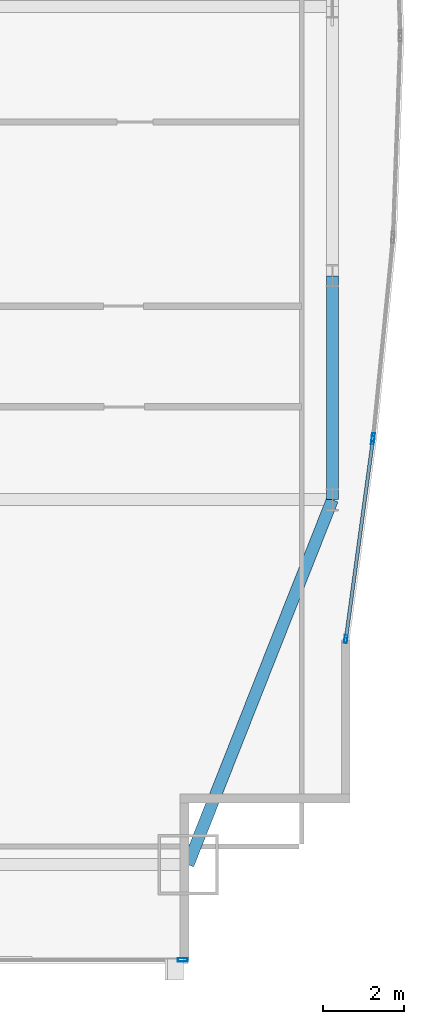
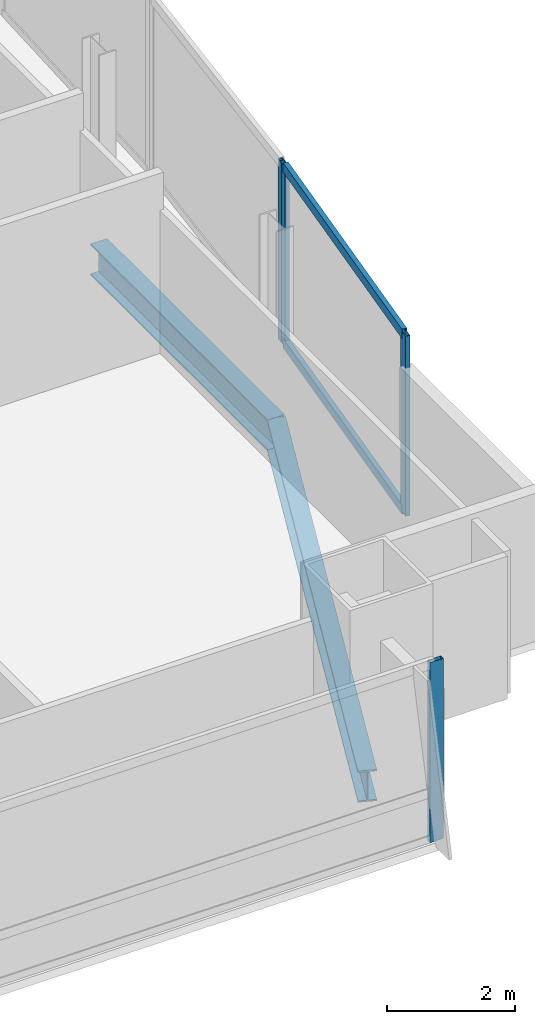
# One storey, part 21 of 32: 6 members, 2 beams, 3 elements without a shape of their own.
"""IFC4 building model written with IfcOpenShell, lengths in metres."""

from ifc_helpers import new_model, si_unit, direction, frame, origin, origin_2d, place, context, subcontext, project, spatial, hollow_rectangle, i_section, extrude, material, material_profile, profile_set, type_object, element, aggregate, save


model = new_model("IFC4")

# Units and contexts
model_context = context("Model", 3, precision=1e-05, world=origin(), true_north=direction((0.0, 1.0)))
body_context = subcontext(model_context, "Body", "Model", "MODEL_VIEW")
ifc_project = project(units=[si_unit("LENGTHUNIT", "METRE"), si_unit("AREAUNIT", "SQUARE_METRE"), si_unit("VOLUMEUNIT", "CUBIC_METRE"), si_unit("PLANEANGLEUNIT", "RADIAN"), si_unit("MASSUNIT", "GRAM", prefix="KILO")], contexts=[model_context])

# Site, building, storey
site_placement = place(None, origin())
site = spatial("IfcSite", under=ifc_project, at=site_placement, CompositionType="ELEMENT")
building_placement = place(site_placement, origin())
building = spatial("IfcBuilding", under=site, at=building_placement, Name="Khoronbel Lancet Exchange", CompositionType="ELEMENT")
storey_placement = place(building_placement, frame((0.0, 0.0, 125.39990234375)))
storey = spatial("IfcBuildingStorey", under=building, at=storey_placement, Name="L30", CompositionType="ELEMENT", Elevation=125.39990234375)

# Beams
ifc_material_1 = material(Name="Steel S355", Category="steel")
ifc_material_profile_1 = material_profile(ifc_material_1, i_section(OverallWidth=0.300048828125, OverallDepth=0.60009765625, WebThickness=0.015380859375, FlangeThickness=0.030029296875, at=origin_2d()), Name="HEB 600")
ifc_profile_set_1 = profile_set([ifc_material_profile_1], Name="Steel S355")
beam_type = type_object("IfcBeamType", Name="BM-BSP2", PredefinedType="SPANDREL", material=ifc_profile_set_1)
beam_1_placement = place(storey_placement, frame((66.050048828125, 10.14990234375, -0.4599609375), z_axis=(0.367828403855, 0.929893684954, 0.0), x_axis=(-0.929893684954, 0.367828403855, 0.0)))
element("IfcBeam", 1, at=beam_1_placement, inside=storey, type_object=beam_type, Name="Level L30 perimeter spandrel beam SP10", PredefinedType="SPANDREL", context=body_context, shape_type="SweptSolid", body=[
    extrude(i_section(OverallWidth=0.300048828125, OverallDepth=0.60009765625, WebThickness=0.015380859375, FlangeThickness=0.030029296875, at=origin_2d()), origin(), (0.0, 0.0, 1.0), 9.732421875),
])
beam_2_placement = place(storey_placement, frame((69.6298828125, 19.199951171875, -0.4599609375), z_axis=(0.0, 1.0, 0.0), x_axis=(-1.0, 0.0, 0.0)))
element("IfcBeam", 2, at=beam_2_placement, inside=storey, type_object=beam_type, Name="Level L30 perimeter spandrel beam SP11", PredefinedType="SPANDREL", context=body_context, shape_type="SweptSolid", body=[
    extrude(i_section(OverallWidth=0.300048828125, OverallDepth=0.60009765625, WebThickness=0.015380859375, FlangeThickness=0.030029296875, at=origin_2d()), origin(), (0.0, 0.0, 1.0), 5.550048828125),
])

# Curtain wall, member
ifc_material_2 = material(Name="Low-E Solar Control Insulating Glass", Category="glass")
curtain_wall_type_1 = type_object("IfcCurtainWallType", Name="CW-2", PredefinedType="NOTDEFINED", material=ifc_material_2)
curtain_wall_1_placement = place(storey_placement, origin())
curtain_wall_1 = element("IfcCurtainWall", 3, at=curtain_wall_1_placement, inside=storey, type_object=curtain_wall_type_1, Name="Unitised curtain wall CW-L30-SEV", PredefinedType="NOTDEFINED")
ifc_material_3 = material(Name="Bronze-Anodised Aluminium 6063-T6", Category="aluminium")
ifc_material_profile_2 = material_profile(ifc_material_3, hollow_rectangle(XDim=0.0849609375, YDim=0.239990234375, WallThickness=0.006103515625, at=origin_2d()), Name="ALU MULLION 85x240")
ifc_profile_set_2 = profile_set([ifc_material_profile_2], Name="Bronze-Anodised Aluminium 6063-T6")
member_type_1 = type_object("IfcMemberType", Name="MEM-CWM1", PredefinedType="MULLION", material=ifc_profile_set_2)
member_1_placement = place(storey_placement, frame((65.91748046875, 7.7900390625, 0.0), z_axis=(0.0, 0.0, 1.0), x_axis=(0.0, 1.0, 0.0)))
member_1 = element("IfcMember", 4, at=member_1_placement, type_object=member_type_1, Name="CW2 mullion 2", PredefinedType="MULLION", context=body_context, shape_type="SweptSolid", body=[
    extrude(hollow_rectangle(XDim=0.0849609375, YDim=0.239990234375, WallThickness=0.006103515625, at=origin_2d()), origin(), (0.0, 0.0, 1.0), 3.440185546875),
])
aggregate(curtain_wall_1, [member_1])

curtain_wall_type_2 = type_object("IfcCurtainWallType", Name="CW-4", PredefinedType="NOTDEFINED", material=ifc_material_2)
curtain_wall_2_placement = place(storey_placement, origin())
curtain_wall_2 = element("IfcCurtainWall", 5, at=curtain_wall_2_placement, inside=storey, type_object=curtain_wall_type_2, Name="Unitised curtain wall CW-L30-E21", PredefinedType="NOTDEFINED")
ifc_material_profile_3 = material_profile(ifc_material_3, hollow_rectangle(XDim=0.074951171875, YDim=0.199951171875, WallThickness=0.0048828125, at=origin_2d()), Name="ALU MULLION 75x200")
ifc_profile_set_3 = profile_set([ifc_material_profile_3], Name="Bronze-Anodised Aluminium 6063-T6")
member_type_2 = type_object("IfcMemberType", Name="MEM-CWM2", PredefinedType="MULLION", material=ifc_profile_set_3)
member_2_placement = place(storey_placement, frame((70.64208984375, 20.747802734375, 0.0), z_axis=(0.0, 0.0, 1.0), x_axis=(0.99511302808, -0.098742398922, 0.0)))
member_2 = element("IfcMember", 6, at=member_2_placement, type_object=member_type_2, Name="CW4 mullion 2", PredefinedType="MULLION", context=body_context, shape_type="SweptSolid", body=[
    extrude(hollow_rectangle(XDim=0.074951171875, YDim=0.199951171875, WallThickness=0.0048828125, at=origin_2d()), origin(), (0.0, 0.0, 1.0), 3.440185546875),
])
aggregate(curtain_wall_2, [member_2])

# Curtain wall, members
curtain_wall_3_placement = place(storey_placement, origin())
curtain_wall_3 = element("IfcCurtainWall", 7, at=curtain_wall_3_placement, inside=storey, type_object=curtain_wall_type_2, Name="Unitised curtain wall CW-L30-E22", PredefinedType="NOTDEFINED")
member_3_placement = place(storey_placement, frame((70.63330078125, 20.67333984375, 0.0), z_axis=(0.0, 0.0, 1.0), x_axis=(0.990939013148, -0.134312591445, 0.0)))
member_3 = element("IfcMember", 8, at=member_3_placement, type_object=member_type_2, Name="CW4 mullion 1", PredefinedType="MULLION", context=body_context, shape_type="SweptSolid", body=[
    extrude(hollow_rectangle(XDim=0.074951171875, YDim=0.199951171875, WallThickness=0.0048828125, at=origin_2d()), origin(), (0.0, 0.0, 1.0), 3.440185546875),
])
member_4_placement = place(storey_placement, frame((69.965087890625, 15.7431640625, 0.0), z_axis=(0.0, 0.0, 1.0), x_axis=(0.990939013148, -0.134312591445, 0.0)))
member_4 = element("IfcMember", 9, at=member_4_placement, type_object=member_type_2, Name="CW4 mullion 2", PredefinedType="MULLION", context=body_context, shape_type="SweptSolid", body=[
    extrude(hollow_rectangle(XDim=0.074951171875, YDim=0.199951171875, WallThickness=0.0048828125, at=origin_2d()), origin(), (0.0, 0.0, 1.0), 3.440185546875),
])
ifc_material_profile_4 = material_profile(ifc_material_3, hollow_rectangle(XDim=0.0849609375, YDim=0.179931640625, WallThickness=0.0048828125, at=origin_2d()), Name="ALU TRANSOM 85x180")
ifc_profile_set_4 = profile_set([ifc_material_profile_4], Name="Bronze-Anodised Aluminium 6063-T6")
member_type_3 = type_object("IfcMemberType", Name="MEM-CWT1", PredefinedType="USERDEFINED", material=ifc_profile_set_4)
member_5_placement = place(storey_placement, frame((70.628173828125, 20.63623046875, 0.04248046875), z_axis=(-0.134323870368, -0.99093748433, 0.0), x_axis=(0.99093748433, -0.134323870368, 0.0)))
member_5 = element("IfcMember", 10, at=member_5_placement, type_object=member_type_3, Name="CW4 transom 1.1", ObjectType="TRANSOM", PredefinedType="USERDEFINED", context=body_context, shape_type="SweptSolid", body=[
    extrude(hollow_rectangle(XDim=0.0849609375, YDim=0.179931640625, WallThickness=0.0048828125, at=origin_2d()), origin(), (0.0, 0.0, 1.0), 4.900146484375),
])
member_6_placement = place(storey_placement, frame((70.628173828125, 20.63623046875, 3.397705078125), z_axis=(-0.134323870368, -0.99093748433, 0.0), x_axis=(0.99093748433, -0.134323870368, 0.0)))
member_6 = element("IfcMember", 11, at=member_6_placement, type_object=member_type_3, Name="CW4 transom 1.2", ObjectType="TRANSOM", PredefinedType="USERDEFINED", context=body_context, shape_type="SweptSolid", body=[
    extrude(hollow_rectangle(XDim=0.0849609375, YDim=0.179931640625, WallThickness=0.0048828125, at=origin_2d()), origin(), (0.0, 0.0, 1.0), 4.900146484375),
])
aggregate(curtain_wall_3, [member_3, member_4, member_5, member_6])

save(model, "model.ifc")
